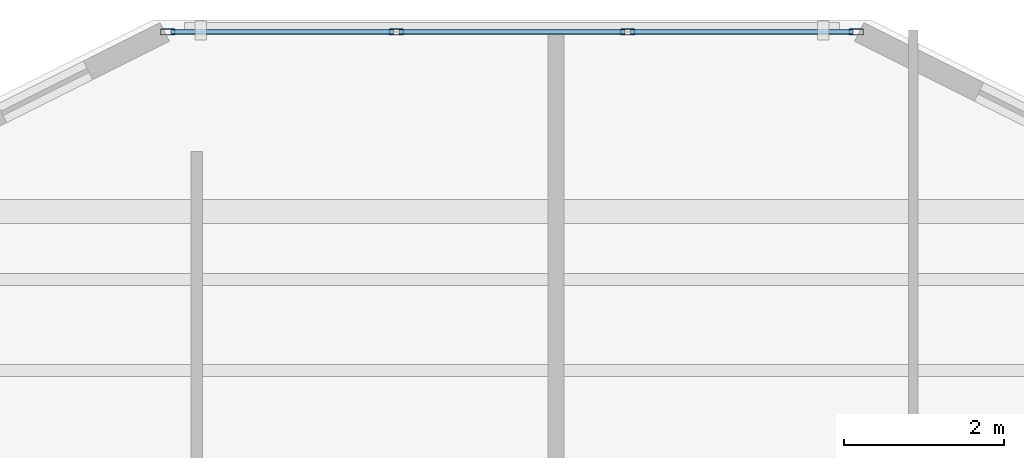
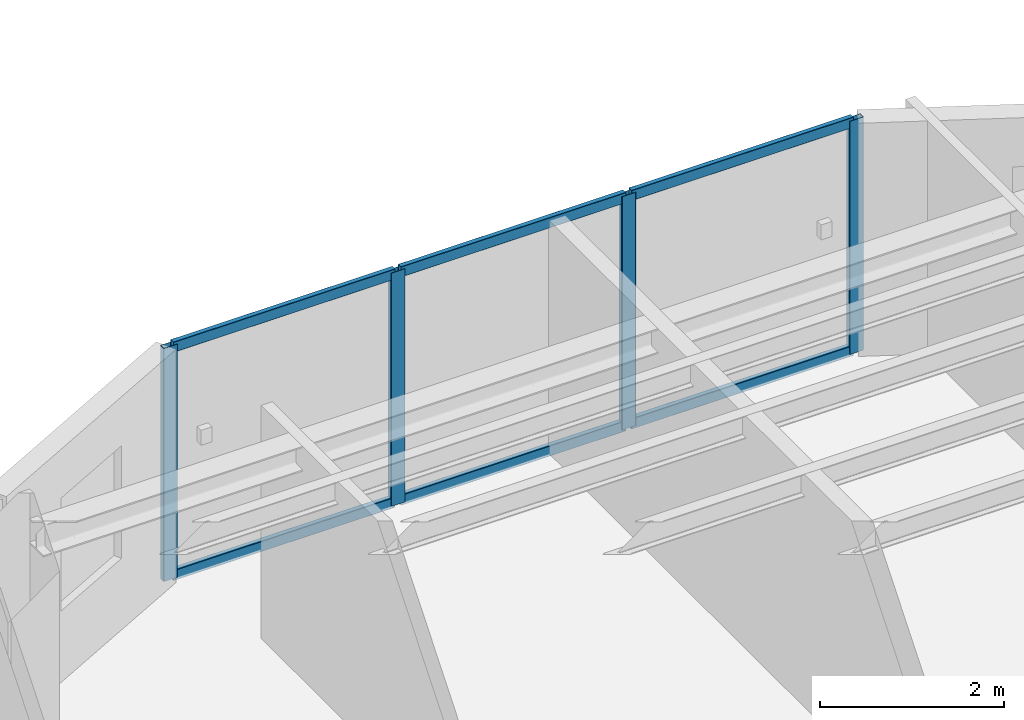
# One storey, part 4 of 14: 10 members, 1 element without a shape of its own.
"""IFC4 building model written with IfcOpenShell, lengths in metres."""

from ifc_helpers import new_model, si_unit, direction, frame, origin, origin_2d, place, context, subcontext, project, spatial, hollow_rectangle, extrude, material, layer, layer_set, material_profile, profile_set, type_object, element, aggregate, save


model = new_model("IFC4")

# Units and contexts
model_context = context("Model", 3, precision=1e-05, world=origin(), true_north=direction((0.0, 1.0)))
body_context = subcontext(model_context, "Body", "Model", "MODEL_VIEW")
ifc_project = project(units=[si_unit("LENGTHUNIT", "METRE"), si_unit("AREAUNIT", "SQUARE_METRE"), si_unit("VOLUMEUNIT", "CUBIC_METRE"), si_unit("PLANEANGLEUNIT", "RADIAN"), si_unit("MASSUNIT", "GRAM", prefix="KILO")], contexts=[model_context])

# Site, building, storey
site_placement = place(None, origin())
site = spatial("IfcSite", under=ifc_project, at=site_placement, CompositionType="ELEMENT")
building_placement = place(site_placement, origin())
building = spatial("IfcBuilding", under=site, at=building_placement, Name="Tarnavaz Court Tower", CompositionType="ELEMENT")
storey_placement = place(building_placement, frame((0.0, 0.0, 254.89990234375)))
storey = spatial("IfcBuildingStorey", under=building, at=storey_placement, Name="L69", CompositionType="ELEMENT", Elevation=254.89990234375)

# Curtain wall, members
ifc_material_1 = material(Name="Anodised Aluminium 6063-T6 and Solar Low-E Glazing", Category="aluminium")
ifc_layer = layer(ifc_material_1, 0.159912109375)
ifc_layer_set = layer_set([ifc_layer], Name="Anodised Aluminium 6063-T6 and Solar Low-E Glazing")
curtain_wall_type = type_object("IfcCurtainWallType", Name="CW-SYS-03", PredefinedType="NOTDEFINED", material=ifc_layer_set)
curtain_wall_placement = place(storey_placement, origin())
curtain_wall = element("IfcCurtainWall", 1, at=curtain_wall_placement, inside=storey, type_object=curtain_wall_type, Name="L69 Iwan Prow Curtain Wall 7", PredefinedType="NOTDEFINED")
ifc_material_2 = material(Name="Anodised Aluminium 6063-T6", Category="aluminium")
ifc_material_profile_1 = material_profile(ifc_material_2, hollow_rectangle(XDim=0.074951171875, YDim=0.179931640625, WallThickness=0.0048828125, InnerFilletRadius=0.0048828125, OuterFilletRadius=0.010009765625, at=origin_2d()), Name="ALU RHS 180X75X5")
ifc_profile_set_1 = profile_set([ifc_material_profile_1], Name="Anodised Aluminium 6063-T6")
member_type_1 = type_object("IfcMemberType", Name="CW-MUL-180", PredefinedType="MULLION", material=ifc_profile_set_1)
member_1_placement = place(storey_placement, frame((-4.3125, 22.35009765625, 0.0), z_axis=(0.0, 0.0, 1.0), x_axis=(0.0, 1.0, 0.0)))
member_1 = element("IfcMember", 2, at=member_1_placement, type_object=member_type_1, Name="CW mullion 1", PredefinedType="MULLION", context=body_context, shape_type="SweptSolid", body=[
    extrude(hollow_rectangle(XDim=0.074951171875, YDim=0.179931640625, WallThickness=0.0048828125, InnerFilletRadius=0.0048828125, OuterFilletRadius=0.010009765625, at=origin_2d()), origin(), (0.0, 0.0, 1.0), 3.10009765625),
])
member_2_placement = place(storey_placement, frame((-1.449951171875, 22.35009765625, 0.0), z_axis=(0.0, 0.0, 1.0), x_axis=(0.0, 1.0, 0.0)))
member_2 = element("IfcMember", 3, at=member_2_placement, type_object=member_type_1, Name="CW mullion 2", PredefinedType="MULLION", context=body_context, shape_type="SweptSolid", body=[
    extrude(hollow_rectangle(XDim=0.074951171875, YDim=0.179931640625, WallThickness=0.0048828125, InnerFilletRadius=0.0048828125, OuterFilletRadius=0.010009765625, at=origin_2d()), origin(), (0.0, 0.0, 1.0), 3.10009765625),
])
member_3_placement = place(storey_placement, frame((1.449951171875, 22.35009765625, 0.0), z_axis=(0.0, 0.0, 1.0), x_axis=(0.0, 1.0, 0.0)))
member_3 = element("IfcMember", 4, at=member_3_placement, type_object=member_type_1, Name="CW mullion 3", PredefinedType="MULLION", context=body_context, shape_type="SweptSolid", body=[
    extrude(hollow_rectangle(XDim=0.074951171875, YDim=0.179931640625, WallThickness=0.0048828125, InnerFilletRadius=0.0048828125, OuterFilletRadius=0.010009765625, at=origin_2d()), origin(), (0.0, 0.0, 1.0), 3.10009765625),
])
member_4_placement = place(storey_placement, frame((4.3125, 22.35009765625, 0.0), z_axis=(0.0, 0.0, 1.0), x_axis=(0.0, 1.0, 0.0)))
member_4 = element("IfcMember", 5, at=member_4_placement, type_object=member_type_1, Name="CW mullion 4", PredefinedType="MULLION", context=body_context, shape_type="SweptSolid", body=[
    extrude(hollow_rectangle(XDim=0.074951171875, YDim=0.179931640625, WallThickness=0.0048828125, InnerFilletRadius=0.0048828125, OuterFilletRadius=0.010009765625, at=origin_2d()), origin(), (0.0, 0.0, 1.0), 3.10009765625),
])
ifc_material_profile_2 = material_profile(ifc_material_2, hollow_rectangle(XDim=0.06494140625, YDim=0.139892578125, WallThickness=0.00390625, InnerFilletRadius=0.00390625, OuterFilletRadius=0.008056640625, at=origin_2d()), Name="ALU RHS 140X65X4")
ifc_profile_set_2 = profile_set([ifc_material_profile_2], Name="Anodised Aluminium 6063-T6")
member_type_2 = type_object("IfcMemberType", Name="CW-TRN-140", PredefinedType="USERDEFINED", material=ifc_profile_set_2)
member_5_placement = place(storey_placement, frame((-4.27490234375, 22.35009765625, 0.03271484375), z_axis=(1.0, 0.0, 0.0), x_axis=(0.0, 1.0, 0.0)))
member_5 = element("IfcMember", 6, at=member_5_placement, type_object=member_type_2, Name="CW transom 1.1", ObjectType="TRANSOM", PredefinedType="USERDEFINED", context=body_context, shape_type="SweptSolid", body=[
    extrude(hollow_rectangle(XDim=0.06494140625, YDim=0.139892578125, WallThickness=0.00390625, InnerFilletRadius=0.00390625, OuterFilletRadius=0.008056640625, at=origin_2d()), origin(), (0.0, 0.0, 1.0), 2.787353515625),
])
member_6_placement = place(storey_placement, frame((-4.27490234375, 22.35009765625, 3.067626953125), z_axis=(1.0, 0.0, 0.0), x_axis=(0.0, 1.0, 0.0)))
member_6 = element("IfcMember", 7, at=member_6_placement, type_object=member_type_2, Name="CW transom 1.2", ObjectType="TRANSOM", PredefinedType="USERDEFINED", context=body_context, shape_type="SweptSolid", body=[
    extrude(hollow_rectangle(XDim=0.06494140625, YDim=0.139892578125, WallThickness=0.00390625, InnerFilletRadius=0.00390625, OuterFilletRadius=0.008056640625, at=origin_2d()), origin(), (0.0, 0.0, 1.0), 2.787353515625),
])
member_7_placement = place(storey_placement, frame((-1.41259765625, 22.35009765625, 0.03271484375), z_axis=(1.0, 0.0, 0.0), x_axis=(0.0, 1.0, 0.0)))
member_7 = element("IfcMember", 8, at=member_7_placement, type_object=member_type_2, Name="CW transom 2.1", ObjectType="TRANSOM", PredefinedType="USERDEFINED", context=body_context, shape_type="SweptSolid", body=[
    extrude(hollow_rectangle(XDim=0.06494140625, YDim=0.139892578125, WallThickness=0.00390625, InnerFilletRadius=0.00390625, OuterFilletRadius=0.008056640625, at=origin_2d()), origin(), (0.0, 0.0, 1.0), 2.8251953125),
])
member_8_placement = place(storey_placement, frame((-1.41259765625, 22.35009765625, 3.067626953125), z_axis=(1.0, 0.0, 0.0), x_axis=(0.0, 1.0, 0.0)))
member_8 = element("IfcMember", 9, at=member_8_placement, type_object=member_type_2, Name="CW transom 2.2", ObjectType="TRANSOM", PredefinedType="USERDEFINED", context=body_context, shape_type="SweptSolid", body=[
    extrude(hollow_rectangle(XDim=0.06494140625, YDim=0.139892578125, WallThickness=0.00390625, InnerFilletRadius=0.00390625, OuterFilletRadius=0.008056640625, at=origin_2d()), origin(), (0.0, 0.0, 1.0), 2.8251953125),
])
member_9_placement = place(storey_placement, frame((1.487548828125, 22.35009765625, 0.03271484375), z_axis=(1.0, 0.0, 0.0), x_axis=(0.0, 1.0, 0.0)))
member_9 = element("IfcMember", 10, at=member_9_placement, type_object=member_type_2, Name="CW transom 3.1", ObjectType="TRANSOM", PredefinedType="USERDEFINED", context=body_context, shape_type="SweptSolid", body=[
    extrude(hollow_rectangle(XDim=0.06494140625, YDim=0.139892578125, WallThickness=0.00390625, InnerFilletRadius=0.00390625, OuterFilletRadius=0.008056640625, at=origin_2d()), origin(), (0.0, 0.0, 1.0), 2.787353515625),
])
member_10_placement = place(storey_placement, frame((1.487548828125, 22.35009765625, 3.067626953125), z_axis=(1.0, 0.0, 0.0), x_axis=(0.0, 1.0, 0.0)))
member_10 = element("IfcMember", 11, at=member_10_placement, type_object=member_type_2, Name="CW transom 3.2", ObjectType="TRANSOM", PredefinedType="USERDEFINED", context=body_context, shape_type="SweptSolid", body=[
    extrude(hollow_rectangle(XDim=0.06494140625, YDim=0.139892578125, WallThickness=0.00390625, InnerFilletRadius=0.00390625, OuterFilletRadius=0.008056640625, at=origin_2d()), origin(), (0.0, 0.0, 1.0), 2.787353515625),
])
aggregate(curtain_wall, [member_1, member_2, member_3, member_4, member_5, member_6, member_7, member_8, member_9, member_10])

save(model, "model.ifc")
